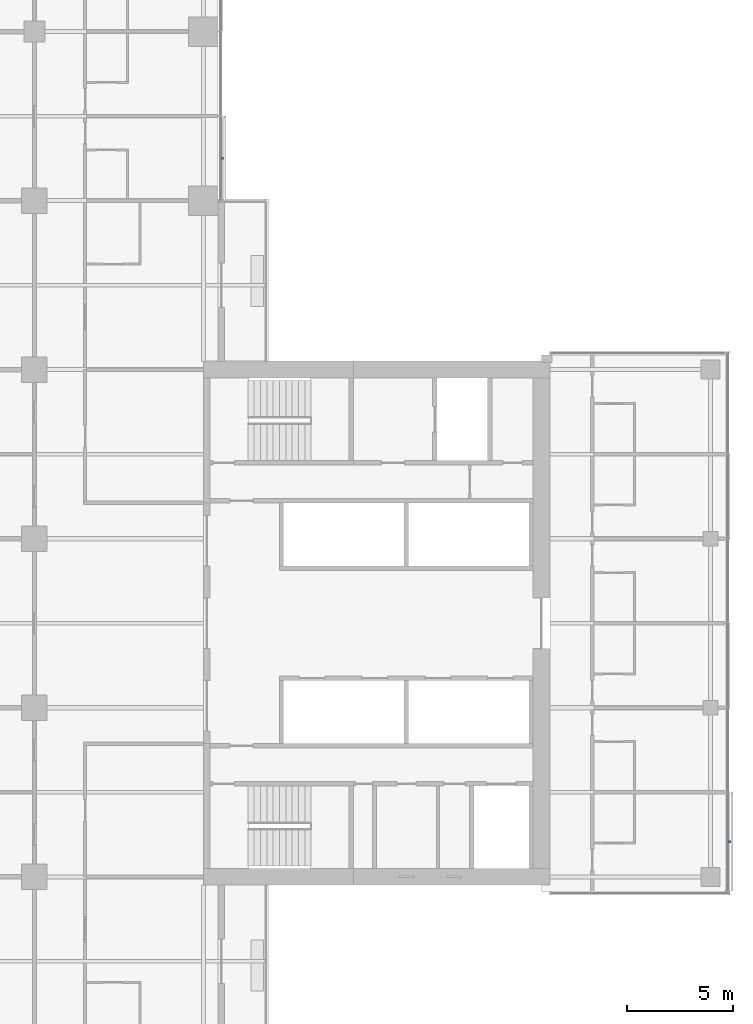
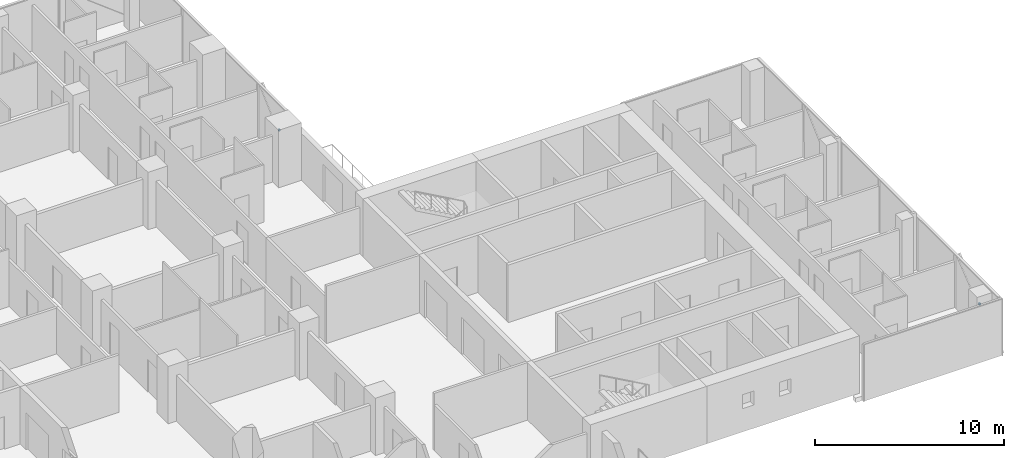
# One storey, part 27 of 29: 2 discrete accessories.
"""IFC4 building model written with IfcOpenShell, lengths in metres."""

from ifc_helpers import new_model, si_unit, direction, frame, origin, origin_2d, place, context, subcontext, project, spatial, rectangle, extrude, material, type_object, element, save


model = new_model("IFC4")

# Units and contexts
model_context = context("Model", 3, precision=1e-05, world=origin(), true_north=direction((0.0, 1.0)))
body_context = subcontext(model_context, "Body", "Model", "MODEL_VIEW")
ifc_project = project(units=[si_unit("LENGTHUNIT", "METRE"), si_unit("AREAUNIT", "SQUARE_METRE"), si_unit("VOLUMEUNIT", "CUBIC_METRE"), si_unit("PLANEANGLEUNIT", "RADIAN"), si_unit("MASSUNIT", "GRAM", prefix="KILO")], contexts=[model_context])

# Site, building, storey
site_placement = place(None, origin())
site = spatial("IfcSite", under=ifc_project, at=site_placement, CompositionType="ELEMENT")
building_placement = place(site_placement, origin())
building = spatial("IfcBuilding", under=site, at=building_placement, Name="Crosswind Convention Tower", CompositionType="ELEMENT")
storey_placement = place(building_placement, frame((0.0, 0.0, 60.89990234375)))
storey = spatial("IfcBuildingStorey", under=building, at=storey_placement, Name="L09", CompositionType="ELEMENT", Elevation=60.89990234375)

# Discrete accessories
ifc_material = material(Name="Stainless steel", Category="steel")
discrete_accessory_type = type_object("IfcDiscreteAccessoryType", Name="BAGUETTE BRACKET BK2", PredefinedType="BRACKET", material=ifc_material)
for number, where, z_axis, x_axis, name in (
    (1, (161.907958984375, 89.666259765625, 1.4775390625), (0.0, 0.0, 1.0), (0.0, 1.0, 0.0), "BK2 baguette bracket"),
    (2, (137.907958984375, 122.0, 1.4775390625), (0.0, 0.0, 1.0), (0.0, 1.0, 0.0), "BK2 baguette bracket"),
):
    element("IfcDiscreteAccessory", number, at=place(storey_placement, frame(where, z_axis=z_axis, x_axis=x_axis)), inside=storey, type_object=discrete_accessory_type, Name=name, PredefinedType="BRACKET", context=body_context, shape_type="SweptSolid", body=[
        extrude(rectangle(XDim=0.1201171875, YDim=0.10009765625, at=origin_2d()), origin(), (0.0, 0.0, 1.0), 0.1201171875),
    ])

save(model, "model.ifc")
